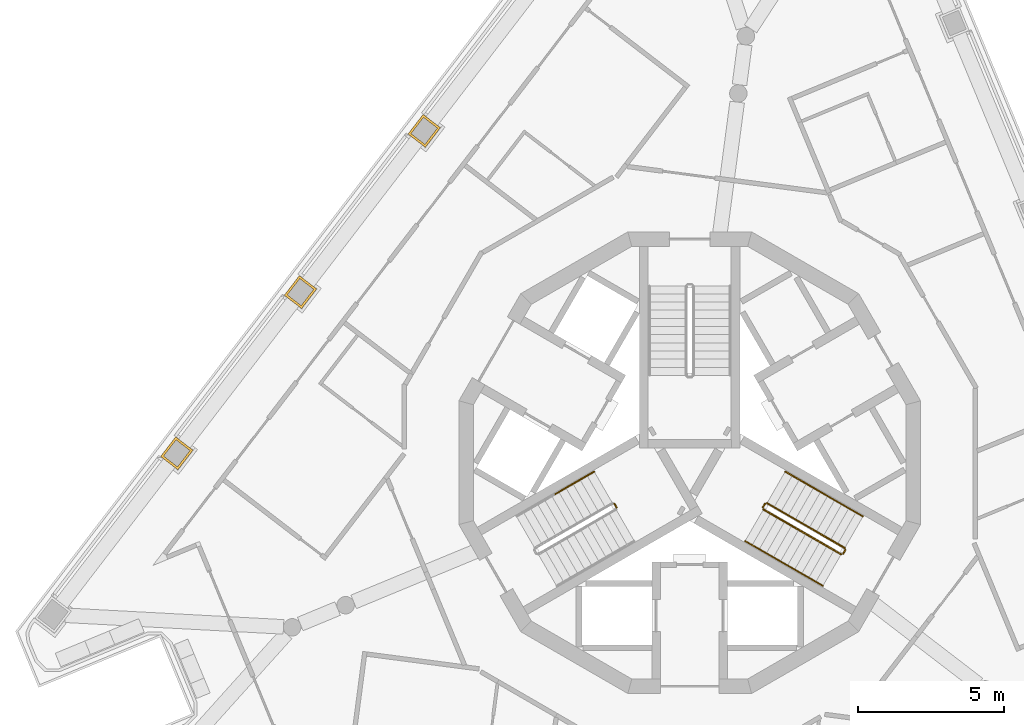
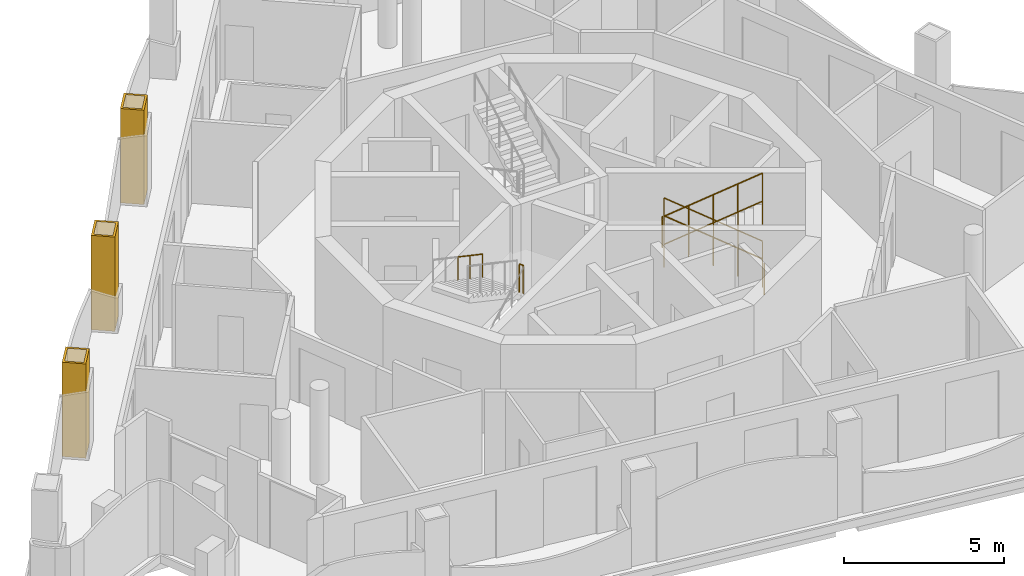
# One storey, part 8 of 12: 10 railings, 3 coverings.
"""IFC4 building model written with IfcOpenShell, lengths in metres."""

import ifcopenshell
import ifcopenshell.guid

model = None  # the IFC model being written
_history = None  # IfcOwnerHistory: only IFC2X3 demands one
_inside = {}  # id of a spatial element -> (the spatial element, [elements in it])
_under = {}  # id of a project, library or spatial element -> (it, [spatial elements below it])
_declared = {}  # id of a project -> (the project, [libraries it declares])
_typed = {}  # id of a type object -> (the type object, [elements of that type])
_made_of = {}  # id of a material, layer set ... -> (it, [elements and type objects made of it])


def new_model(schema):
    """Start an empty IFC model of exactly this schema.

    Asked for "IFC4X3", IfcOpenShell would pick the latest addendum, in which some entities
    have other attributes; the version numbers below select the first issue.
    IFC2X3 requires an IfcOwnerHistory on every rooted entity: one is made here for all.
    """
    global model, _history
    if schema == "IFC4X3":
        model = ifcopenshell.file(schema_version=(4, 3, 0, 0))
    else:
        model = ifcopenshell.file(schema=schema)
    _inside.clear()
    _under.clear()
    _declared.clear()
    _typed.clear()
    _made_of.clear()
    _history = None
    if model.schema == "IFC2X3":
        org = make("IfcOrganization", Name="unknown")
        user = make(
            "IfcPersonAndOrganization",
            ThePerson=make("IfcPerson", FamilyName="unknown"),
            TheOrganization=org,
        )
        app = make(
            "IfcApplication",
            ApplicationDeveloper=org,
            Version="unknown",
            ApplicationFullName="unknown",
            ApplicationIdentifier="unknown",
        )
        _history = make(
            "IfcOwnerHistory",
            OwningUser=user,
            OwningApplication=app,
            ChangeAction="ADDED",
            CreationDate=0,
        )
    return model


def make(cls, **values):
    """One entity of the class cls with the attributes given. An attribute that is None is left unset."""
    return model.create_entity(
        cls, **{name: value for name, value in values.items() if value is not None}
    )


def rooted(cls, **values):
    """An entity with a GlobalId (a new one), such as an element, a storey or a relation."""
    return make(cls, GlobalId=ifcopenshell.guid.new(), OwnerHistory=_history, **values)


def si_unit(unit_type, name, prefix=None):
    """IfcSIUnit, for example si_unit("LENGTHUNIT", "METRE", prefix="MILLI")."""
    return make("IfcSIUnit", UnitType=unit_type, Prefix=prefix, Name=name)


def assignment(units):
    """IfcUnitAssignment: the units of a project."""
    return None if units is None else make("IfcUnitAssignment", Units=units)


def point(xyz):
    """IfcCartesianPoint."""
    return None if xyz is None else make("IfcCartesianPoint", Coordinates=xyz)


def direction(xyz):
    """IfcDirection."""
    return None if xyz is None else make("IfcDirection", DirectionRatios=xyz)


def frame(location, z_axis=None, x_axis=None):
    """IfcAxis2Placement3D, a coordinate frame: its origin and axes. An axis left out is left unset."""
    return make(
        "IfcAxis2Placement3D",
        Location=point(location),
        Axis=direction(z_axis),
        RefDirection=direction(x_axis),
    )


def frame_2d(location, x_axis=None):
    """IfcAxis2Placement2D, a coordinate frame in the plane: its origin and x axis."""
    return make(
        "IfcAxis2Placement2D", Location=point(location), RefDirection=direction(x_axis)
    )


def origin():
    """The frame at (0, 0, 0) with its axes left unset."""
    return frame((0.0, 0.0, 0.0))


def origin_2d():
    """The frame at (0, 0) in the plane with its x axis left unset."""
    return frame_2d((0.0, 0.0))


def place(relative_to, where):
    """IfcLocalPlacement: puts the frame where relative to a parent placement (None: the world)."""
    return make(
        "IfcLocalPlacement", PlacementRelTo=relative_to, RelativePlacement=where
    )


def context(
    kind, dimensions, precision=None, world=None, true_north=None, identifier=None
):
    """IfcGeometricRepresentationContext, for example the 3D "Model" context."""
    return make(
        "IfcGeometricRepresentationContext",
        ContextIdentifier=identifier,
        ContextType=kind,
        CoordinateSpaceDimension=dimensions,
        Precision=precision,
        WorldCoordinateSystem=world,
        TrueNorth=true_north,
    )


def subcontext(parent, identifier, kind, view, scale=None):
    """IfcGeometricRepresentationSubContext, for example "Body" below "Model"."""
    return make(
        "IfcGeometricRepresentationSubContext",
        ContextIdentifier=identifier,
        ContextType=kind,
        ParentContext=parent,
        TargetScale=scale,
        TargetView=view,
    )


def project(units=None, contexts=None):
    """IfcProject with its units and contexts."""
    return rooted(
        "IfcProject",
        Name="project",
        RepresentationContexts=contexts,
        UnitsInContext=assignment(units),
    )


def spatial(cls, under=None, at=None, **own):
    """A site, building, storey or space (cls), placed at a placement, below another one or the project."""
    s = rooted(cls, ObjectPlacement=at, **own)
    if under is not None:
        _under.setdefault(under.id(), (under, []))[1].append(s)
    return s


def polyline(points):
    """IfcPolyline through the points."""
    return make("IfcPolyline", Points=[point(p) for p in points])


def profile(cls, at=None, kind="AREA", **sizes):
    """A parametric profile (cls). Its sizes go by their IFC names, for example OverallWidth=200.0."""
    return make(cls, ProfileType=kind, Position=at, **sizes)


def circle(**sizes):
    """IfcCircleProfileDef."""
    return profile("IfcCircleProfileDef", **sizes)


def outline(outer, holes=None, kind="AREA"):
    """IfcArbitraryClosedProfileDef: a profile drawn as a closed curve; with holes, ...WithVoids."""
    if holes is None:
        return make("IfcArbitraryClosedProfileDef", ProfileType=kind, OuterCurve=outer)
    return make(
        "IfcArbitraryProfileDefWithVoids",
        ProfileType=kind,
        OuterCurve=outer,
        InnerCurves=holes,
    )


def extrude(swept, where, along, depth):
    """IfcExtrudedAreaSolid: the profile swept, set in the frame where, extruded along a direction by depth."""
    return make(
        "IfcExtrudedAreaSolid",
        SweptArea=swept,
        Position=where,
        ExtrudedDirection=direction(along),
        Depth=depth,
    )


def shape(context_of_items, identifier, shape_type, items):
    """IfcShapeRepresentation: the items that make up one representation, for example the "Body"."""
    return make(
        "IfcShapeRepresentation",
        ContextOfItems=context_of_items,
        RepresentationIdentifier=identifier,
        RepresentationType=shape_type,
        Items=items,
    )


def material(Name=None, Category=None):
    """IfcMaterial."""
    return make("IfcMaterial", Name=Name, Category=Category)


def layer(
    of_material, thickness, ventilated=None, Name=None, Category=None, Priority=None
):
    """IfcMaterialLayer: one layer of a wall or slab, of a material (None: an air gap)."""
    return make(
        "IfcMaterialLayer",
        Material=of_material,
        LayerThickness=thickness,
        IsVentilated=ventilated,
        Name=Name,
        Category=Category,
        Priority=Priority,
    )


def layer_set(layers, Name=None):
    """IfcMaterialLayerSet."""
    return make("IfcMaterialLayerSet", MaterialLayers=layers, LayerSetName=Name)


def made_of(thing, what):
    """Note that an element or type object is made of a material, layer set ...; save() writes the relation."""
    if what is not None:
        _made_of.setdefault(what.id(), (what, []))[1].append(thing)
    return thing


def type_object(cls, material=None, **own):
    """A type object (cls), such as IfcWallType, which elements share."""
    return made_of(rooted(cls, **own), material)


def element(
    cls,
    number,
    at=None,
    inside=None,
    cuts=None,
    type_object=None,
    material=None,
    context=None,
    identifier="Body",
    shape_type=None,
    held_by="IfcProductDefinitionShape",
    body=None,
    shapes=None,
    **own,
):
    """One element of the class cls, such as IfcWall. Its Tag is "e" and its number.

    at: its placement. inside: the storey or other place that contains it. cuts: it is an
    opening in that element (IfcRelVoidsElement). A single representation is given by context,
    identifier, shape_type and body (its items); several are given by shapes. held_by: the class
    of the entity that holds the representations. save() writes the other relations.
    """
    e = rooted(cls, Tag="e%d" % number, ObjectPlacement=at, **own)
    if body is not None:
        shapes = [shape(context, identifier, shape_type, body)]
    if shapes is not None:
        e.Representation = make(held_by, Representations=shapes)
    if inside is not None:
        _inside.setdefault(inside.id(), (inside, []))[1].append(e)
    if cuts is not None:
        rooted(
            "IfcRelVoidsElement", RelatingBuildingElement=cuts, RelatedOpeningElement=e
        )
    if type_object is not None:
        _typed.setdefault(type_object.id(), (type_object, []))[1].append(e)
    return made_of(e, material)


def aggregate(whole, parts):
    """IfcRelAggregates: a whole, such as a stair, and the parts it consists of."""
    return rooted("IfcRelAggregates", RelatingObject=whole, RelatedObjects=parts)


def save(model, path):
    """Write the relations noted so far, then the file.

    IfcRelAggregates (storeys below a building ...), IfcRelContainedInSpatialStructure (elements
    in a storey), IfcRelDefinesByType, IfcRelAssociatesMaterial and IfcRelDeclares: one each for
    every whole, place, type object, material and project.
    """
    for whole, parts in _under.values():
        aggregate(whole, parts)
    for where, things in _inside.values():
        rooted(
            "IfcRelContainedInSpatialStructure",
            RelatedElements=things,
            RelatingStructure=where,
        )
    for kind, things in _typed.values():
        rooted("IfcRelDefinesByType", RelatedObjects=things, RelatingType=kind)
    for what, things in _made_of.values():
        rooted("IfcRelAssociatesMaterial", RelatedObjects=things, RelatingMaterial=what)
    for by, libraries in _declared.values():
        rooted("IfcRelDeclares", RelatingContext=by, RelatedDefinitions=libraries)
    model.write(path)


model = new_model("IFC4")

# Units and contexts
model_context = context("Model", 3, precision=1e-05, world=origin(), true_north=direction((0.0, 1.0)))
body_context = subcontext(model_context, "Body", "Model", "MODEL_VIEW")
ifc_project = project(units=[si_unit("LENGTHUNIT", "METRE"), si_unit("AREAUNIT", "SQUARE_METRE"), si_unit("VOLUMEUNIT", "CUBIC_METRE"), si_unit("PLANEANGLEUNIT", "RADIAN"), si_unit("MASSUNIT", "GRAM", prefix="KILO")], contexts=[model_context])

# Site, building, storey
site_placement = place(None, origin())
site = spatial("IfcSite", under=ifc_project, at=site_placement, CompositionType="ELEMENT")
building_placement = place(site_placement, origin())
building = spatial("IfcBuilding", under=site, at=building_placement, Name="Trine Commons Tower", CompositionType="ELEMENT")
storey_placement = place(building_placement, frame((0.0, 0.0, 297.0)))
storey = spatial("IfcBuildingStorey", under=building, at=storey_placement, Name="L78", CompositionType="ELEMENT", Elevation=297.0)

# Coverings
ifc_material_1 = material(Name="Limestone, honed", Category="masonry")
ifc_layer = layer(ifc_material_1, 0.074951171875)
ifc_layer_set = layer_set([ifc_layer], Name="Limestone, honed")
covering_type = type_object("IfcCoveringType", Name="Limestone column cladding 75", PredefinedType="CLADDING", material=ifc_layer_set)
covering_1_placement = place(storey_placement, origin())
element("IfcCovering", 1, at=covering_1_placement, inside=storey, type_object=covering_type, Name="Limestone pier cladding 8-08", PredefinedType="CLADDING", context=body_context, shape_type="SweptSolid", body=[
    extrude(outline(polyline([(62.95751953125, 62.929443359375), (62.362548828125, 63.385986328125), (61.84521484375, 62.711669921875), (62.440185546875, 62.2548828125), (62.95751953125, 62.929443359375)]), holes=[polyline([(62.8525390625, 62.91552734375), (62.37646484375, 63.28076171875), (61.9501953125, 62.7255859375), (62.42626953125, 62.360107421875), (62.8525390625, 62.91552734375)])]), origin(), (0.0, 0.0, 1.0), 3.60009765625),
])
covering_2_placement = place(storey_placement, origin())
element("IfcCovering", 2, at=covering_2_placement, inside=storey, type_object=covering_type, Name="Limestone pier cladding 8-09", PredefinedType="CLADDING", context=body_context, shape_type="SweptSolid", body=[
    extrude(outline(polyline([(67.202392578125, 68.461181640625), (66.607421875, 68.91796875), (66.08984375, 68.243408203125), (66.684814453125, 67.786865234375), (67.202392578125, 68.461181640625)]), holes=[polyline([(67.09716796875, 68.447509765625), (66.62109375, 68.812744140625), (66.195068359375, 68.25732421875), (66.6708984375, 67.89208984375), (67.09716796875, 68.447509765625)])]), origin(), (0.0, 0.0, 1.0), 3.60009765625),
])
covering_3_placement = place(storey_placement, origin())
element("IfcCovering", 3, at=covering_3_placement, inside=storey, type_object=covering_type, Name="Limestone pier cladding 8-10", PredefinedType="CLADDING", context=body_context, shape_type="SweptSolid", body=[
    extrude(outline(polyline([(71.447021484375, 73.9931640625), (70.85205078125, 74.44970703125), (70.334716796875, 73.775390625), (70.9296875, 73.318603515625), (71.447021484375, 73.9931640625)]), holes=[polyline([(71.341796875, 73.979248046875), (70.865966796875, 74.344482421875), (70.439697265625, 73.789306640625), (70.915771484375, 73.423828125), (71.341796875, 73.979248046875)])]), origin(), (0.0, 0.0, 1.0), 3.60009765625),
])

# Railings
ifc_material_2 = material(Name="Stainless steel balustrade", Category="steel")
railing_type_1 = type_object("IfcRailingType", Name="Stair guard, steel balustrade 1100", PredefinedType="GUARDRAIL", material=ifc_material_2)
railing_1_placement = place(storey_placement, frame((77.490966796875, 60.96484375, 1.800048828125)))
element("IfcRailing", 4, at=railing_1_placement, inside=storey, type_object=railing_type_1, Name="L78 ST2D stair guard 2", PredefinedType="GUARDRAIL", context=body_context, shape_type="SweptSolid", body=[
    extrude(circle(Radius=0.02392578125, at=origin_2d()), frame((0.0, 0.0, 1.076171875), z_axis=(-0.501036270542, 0.865426285481, 0.0), x_axis=(-0.865426285481, -0.501036270542, 0.0)), (0.0, 0.0, 1.0), 0.150146484375),
    extrude(circle(Radius=0.02099609375, at=origin_2d()), origin(), (0.0, 0.0, 1.0), 1.052001953125),
    extrude(circle(Radius=0.02099609375, at=origin_2d()), frame((-0.0751953125, 0.1298828125, 0.0)), (0.0, 0.0, 1.0), 1.052001953125),
])
railing_2_placement = place(storey_placement, frame((85.31982421875, 59.572998046875, 0.14990234375)))
element("IfcRailing", 5, at=railing_2_placement, inside=storey, type_object=railing_type_1, Name="L78 ST3D stair guard 1", PredefinedType="GUARDRAIL", context=body_context, shape_type="SweptSolid", body=[
    extrude(circle(Radius=0.02392578125, at=origin_2d()), frame((0.0, 0.0, 1.076171875), z_axis=(-0.763379768245, 0.440728498818, 0.472239049384), x_axis=(-0.499992328818, -0.866029832698, 0.0)), (0.0, 0.0, 1.0), 3.494384765625),
    extrude(circle(Radius=0.02099609375, at=origin_2d()), origin(), (0.0, 0.0, 1.0), 1.052001953125),
    extrude(circle(Radius=0.02099609375, at=origin_2d()), frame((-0.6669921875, 0.385009765625, 0.41259765625)), (0.0, 0.0, 1.0), 1.052001953125),
    extrude(circle(Radius=0.02099609375, at=origin_2d()), frame((-1.333740234375, 0.77001953125, 0.8251953125)), (0.0, 0.0, 1.0), 1.052001953125),
    extrude(circle(Radius=0.02099609375, at=origin_2d()), frame((-2.00048828125, 1.155029296875, 1.237548828125)), (0.0, 0.0, 1.0), 1.052001953125),
    extrude(circle(Radius=0.02099609375, at=origin_2d()), frame((-2.66748046875, 1.5400390625, 1.650146484375)), (0.0, 0.0, 1.0), 1.052001953125),
])
railing_3_placement = place(storey_placement, frame((82.584228515625, 61.0947265625, 1.800048828125)))
element("IfcRailing", 6, at=railing_3_placement, inside=storey, type_object=railing_type_1, Name="L78 ST3D stair guard 2", PredefinedType="GUARDRAIL", context=body_context, shape_type="SweptSolid", body=[
    extrude(circle(Radius=0.02392578125, at=origin_2d()), frame((0.0, 0.0, 1.076171875), z_axis=(-0.501036270542, -0.865426285481, 0.0), x_axis=(0.865426285481, -0.501036270542, 0.0)), (0.0, 0.0, 1.0), 0.150146484375),
    extrude(circle(Radius=0.02099609375, at=origin_2d()), origin(), (0.0, 0.0, 1.0), 1.052001953125),
    extrude(circle(Radius=0.02099609375, at=origin_2d()), frame((-0.0751953125, -0.1298828125, 0.0)), (0.0, 0.0, 1.0), 1.052001953125),
])
railing_4_placement = place(storey_placement, frame((82.52734375, 60.896484375, 1.949951171875)))
element("IfcRailing", 7, at=railing_4_placement, inside=storey, type_object=railing_type_1, Name="L78 ST3D stair guard 3", PredefinedType="GUARDRAIL", context=body_context, shape_type="SweptSolid", body=[
    extrude(circle(Radius=0.02392578125, at=origin_2d()), frame((0.0, 0.0, 1.076171875), z_axis=(0.763379768245, -0.440728498818, 0.472239049384), x_axis=(0.499992328818, 0.866029832698, 0.0)), (0.0, 0.0, 1.0), 3.494384765625),
    extrude(circle(Radius=0.02099609375, at=origin_2d()), origin(), (0.0, 0.0, 1.0), 1.052001953125),
    extrude(circle(Radius=0.02099609375, at=origin_2d()), frame((0.6669921875, -0.385009765625, 0.41259765625)), (0.0, 0.0, 1.0), 1.052001953125),
    extrude(circle(Radius=0.02099609375, at=origin_2d()), frame((1.333740234375, -0.77001953125, 0.8251953125)), (0.0, 0.0, 1.0), 1.052001953125),
    extrude(circle(Radius=0.02099609375, at=origin_2d()), frame((2.00048828125, -1.155029296875, 1.237548828125)), (0.0, 0.0, 1.0), 1.052001953125),
    extrude(circle(Radius=0.02099609375, at=origin_2d()), frame((2.66748046875, -1.5400390625, 1.650146484375)), (0.0, 0.0, 1.0), 1.052001953125),
])
railing_5_placement = place(storey_placement, frame((85.338134765625, 59.504638671875, 0.0)))
element("IfcRailing", 8, at=railing_5_placement, inside=storey, type_object=railing_type_1, Name="L78 ST3D stair guard 4", PredefinedType="GUARDRAIL", context=body_context, shape_type="SweptSolid", body=[
    extrude(circle(Radius=0.02392578125, at=origin_2d()), frame((0.0, 0.0, 1.076171875), z_axis=(-0.499816412211, -0.866131372301, 0.0), x_axis=(0.866131372301, -0.499816412211, 0.0)), (0.0, 0.0, 1.0), 0.14990234375),
    extrude(circle(Radius=0.02099609375, at=origin_2d()), origin(), (0.0, 0.0, 1.0), 1.052001953125),
    extrude(circle(Radius=0.02099609375, at=origin_2d()), frame((-0.074951171875, -0.1298828125, 0.0)), (0.0, 0.0, 1.0), 1.052001953125),
])
ifc_material_3 = material(Name="Stainless steel handrail", Category="steel")
railing_type_2 = type_object("IfcRailingType", Name="Stair handrail, steel 900", PredefinedType="HANDRAIL", material=ifc_material_3)
railing_6_placement = place(storey_placement, frame((76.72265625, 62.195556640625, 1.949951171875)))
element("IfcRailing", 9, at=railing_6_placement, inside=storey, type_object=railing_type_2, Name="L78 ST2D stair handrail 3", PredefinedType="HANDRAIL", context=body_context, shape_type="SweptSolid", body=[
    extrude(circle(Radius=0.02099609375, at=origin_2d()), frame((0.0, 0.0, 0.87890625), z_axis=(-0.76340495495, -0.440743040072, 0.472184759798), x_axis=(0.499992328818, -0.866029832698, 0.0)), (0.0, 0.0, 1.0), 1.7470703125),
    extrude(circle(Radius=0.01513671875, at=origin_2d()), origin(), (0.0, 0.0, 1.0), 0.85791015625),
    extrude(circle(Radius=0.01513671875, at=origin_2d()), frame((-0.6669921875, -0.385009765625, 0.41259765625)), (0.0, 0.0, 1.0), 0.85791015625),
    extrude(circle(Radius=0.01513671875, at=origin_2d()), frame((-1.333740234375, -0.77001953125, 0.824951171875)), (0.0, 0.0, 1.0), 0.85791015625),
])
railing_7_placement = place(storey_placement, frame((85.94482421875, 60.655517578125, 0.14990234375)))
element("IfcRailing", 10, at=railing_7_placement, inside=storey, type_object=railing_type_2, Name="L78 ST3D stair handrail 1", PredefinedType="HANDRAIL", context=body_context, shape_type="SweptSolid", body=[
    extrude(circle(Radius=0.02099609375, at=origin_2d()), frame((0.0, 0.0, 0.87890625), z_axis=(-0.763354580307, 0.440713956853, 0.472293333596), x_axis=(-0.499992328818, -0.866029832698, 0.0)), (0.0, 0.0, 1.0), 1.747314453125),
    extrude(circle(Radius=0.01513671875, at=origin_2d()), origin(), (0.0, 0.0, 1.0), 0.85791015625),
    extrude(circle(Radius=0.01513671875, at=origin_2d()), frame((-0.6669921875, 0.385009765625, 0.41259765625)), (0.0, 0.0, 1.0), 0.85791015625),
    extrude(circle(Radius=0.01513671875, at=origin_2d()), frame((-1.333740234375, 0.77001953125, 0.8251953125)), (0.0, 0.0, 1.0), 0.85791015625),
])
railing_8_placement = place(storey_placement, frame((84.611083984375, 61.425537109375, 0.97509765625)))
element("IfcRailing", 11, at=railing_8_placement, inside=storey, type_object=railing_type_2, Name="L78 ST3D stair handrail 2", PredefinedType="HANDRAIL", context=body_context, shape_type="SweptSolid", body=[
    extrude(circle(Radius=0.02099609375, at=origin_2d()), frame((0.0, 0.0, 0.87890625), z_axis=(-0.76340495495, 0.440743040072, 0.472184759798), x_axis=(-0.499992328818, -0.866029832698, 0.0)), (0.0, 0.0, 1.0), 1.7470703125),
    extrude(circle(Radius=0.01513671875, at=origin_2d()), origin(), (0.0, 0.0, 1.0), 0.85791015625),
    extrude(circle(Radius=0.01513671875, at=origin_2d()), frame((-0.6669921875, 0.385009765625, 0.41259765625)), (0.0, 0.0, 1.0), 0.85791015625),
    extrude(circle(Radius=0.01513671875, at=origin_2d()), frame((-1.333740234375, 0.77001953125, 0.824951171875)), (0.0, 0.0, 1.0), 0.85791015625),
])
railing_9_placement = place(storey_placement, frame((81.90234375, 59.81396484375, 1.949951171875)))
element("IfcRailing", 12, at=railing_9_placement, inside=storey, type_object=railing_type_2, Name="L78 ST3D stair handrail 3", PredefinedType="HANDRAIL", context=body_context, shape_type="SweptSolid", body=[
    extrude(circle(Radius=0.02099609375, at=origin_2d()), frame((0.0, 0.0, 0.87890625), z_axis=(0.76340495495, -0.440743040072, 0.472184759798), x_axis=(0.499992328818, 0.866029832698, 0.0)), (0.0, 0.0, 1.0), 1.7470703125),
    extrude(circle(Radius=0.01513671875, at=origin_2d()), origin(), (0.0, 0.0, 1.0), 0.85791015625),
    extrude(circle(Radius=0.01513671875, at=origin_2d()), frame((0.6669921875, -0.385009765625, 0.41259765625)), (0.0, 0.0, 1.0), 0.85791015625),
    extrude(circle(Radius=0.01513671875, at=origin_2d()), frame((1.333740234375, -0.77001953125, 0.824951171875)), (0.0, 0.0, 1.0), 0.85791015625),
])
railing_10_placement = place(storey_placement, frame((83.236083984375, 59.0439453125, 2.77490234375)))
element("IfcRailing", 13, at=railing_10_placement, inside=storey, type_object=railing_type_2, Name="L78 ST3D stair handrail 4", PredefinedType="HANDRAIL", context=body_context, shape_type="SweptSolid", body=[
    extrude(circle(Radius=0.02099609375, at=origin_2d()), frame((0.0, 0.0, 0.87890625), z_axis=(0.763354580307, -0.440713956853, 0.472293333596), x_axis=(0.499992328818, 0.866029832698, 0.0)), (0.0, 0.0, 1.0), 1.747314453125),
    extrude(circle(Radius=0.01513671875, at=origin_2d()), origin(), (0.0, 0.0, 1.0), 0.85791015625),
    extrude(circle(Radius=0.01513671875, at=origin_2d()), frame((0.6669921875, -0.385009765625, 0.41259765625)), (0.0, 0.0, 1.0), 0.85791015625),
    extrude(circle(Radius=0.01513671875, at=origin_2d()), frame((1.333740234375, -0.77001953125, 0.8251953125)), (0.0, 0.0, 1.0), 0.85791015625),
])

save(model, "model.ifc")
